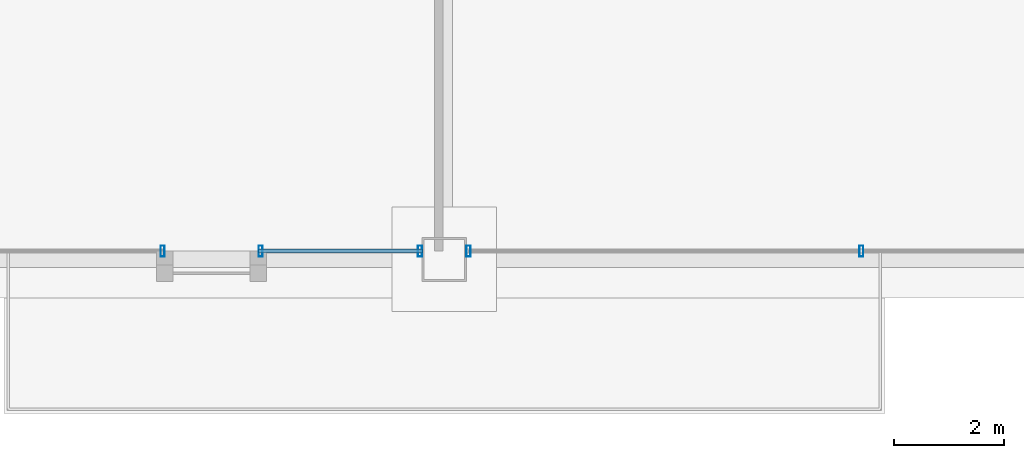
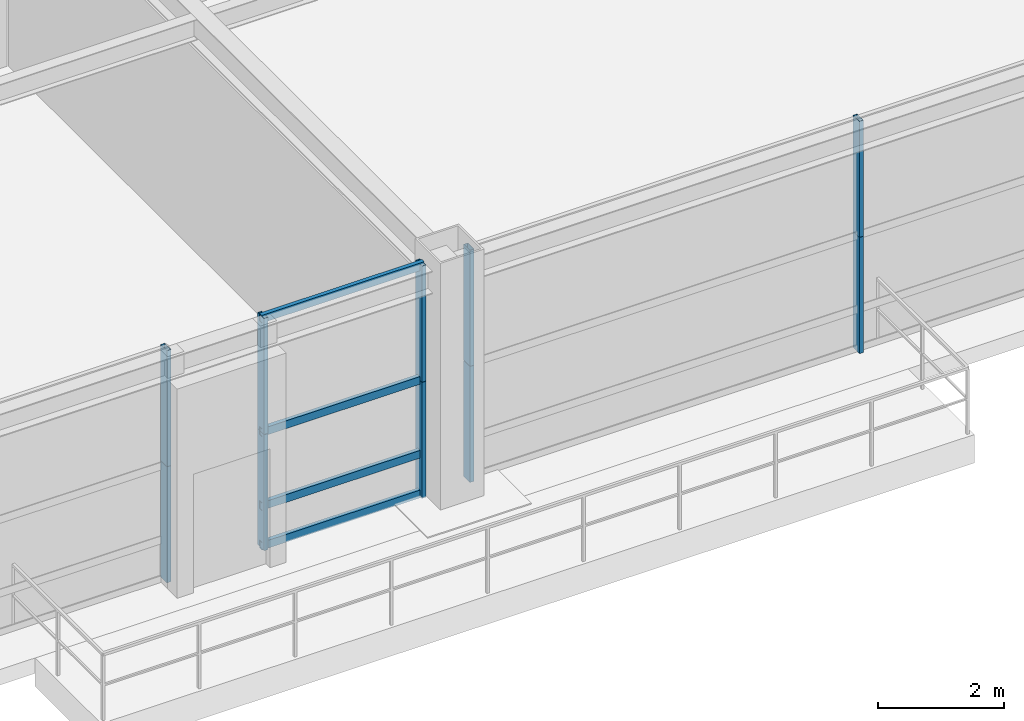
# One storey, part 8 of 34: 14 members, 3 elements without a shape of their own.
"""IFC4 building model written with IfcOpenShell, lengths in metres."""

from ifc_helpers import new_model, si_unit, direction, frame, origin, origin_2d, place, context, subcontext, project, spatial, hollow_rectangle, extrude, source, transform, mapped, material, layer, layer_set, material_profile, profile_set, type_object, element, aggregate, save


model = new_model("IFC4")

# Units and contexts
model_context = context("Model", 3, precision=1e-05, world=origin(), true_north=direction((0.0, 1.0)))
body_context = subcontext(model_context, "Body", "Model", "MODEL_VIEW")
ifc_project = project(units=[si_unit("LENGTHUNIT", "METRE"), si_unit("AREAUNIT", "SQUARE_METRE"), si_unit("VOLUMEUNIT", "CUBIC_METRE"), si_unit("PLANEANGLEUNIT", "RADIAN"), si_unit("MASSUNIT", "GRAM", prefix="KILO"), si_unit("THERMODYNAMICTEMPERATUREUNIT", "KELVIN"), si_unit("POWERUNIT", "WATT")], contexts=[model_context])

# Site, building, storey
site_placement = place(None, origin())
site = spatial("IfcSite", under=ifc_project, at=site_placement, CompositionType="ELEMENT")
building_placement = place(site_placement, origin())
building = spatial("IfcBuilding", under=site, at=building_placement, Name="Yuzanri Waterfront Tower", CompositionType="ELEMENT")
storey_placement = place(building_placement, frame((0.0, 0.0, 166.800048828125)))
storey = spatial("IfcBuildingStorey", under=building, at=storey_placement, Name="L44", CompositionType="ELEMENT", Elevation=166.800048828125)

# Curtain wall, members
ifc_material_1 = material(Name="Anodized Architectural Bronze", Category="metal")
ifc_layer = layer(ifc_material_1, 0.159912109375)
ifc_layer_set = layer_set([ifc_layer], Name="Anodized Architectural Bronze")
curtain_wall_type = type_object("IfcCurtainWallType", Name="Anodized Bronze Sky-Lobby Triple-Glazed Feature Curtain Wall 7500", PredefinedType="NOTDEFINED", material=ifc_layer_set)
curtain_wall_1_placement = place(storey_placement, origin())
curtain_wall_1 = element("IfcCurtainWall", 1, at=curtain_wall_1_placement, inside=storey, type_object=curtain_wall_type, Name="L44 Curtain Wall CW-L44-SL1", PredefinedType="NOTDEFINED")
ifc_material_2 = material(Name="Anodized Architectural Bronze", Category="metal")
ifc_material_profile_1 = material_profile(ifc_material_2, hollow_rectangle(XDim=0.074951171875, YDim=0.199951171875, WallThickness=0.00390625, at=origin_2d()), Name="CWM 75x200")
ifc_profile_set_1 = profile_set([ifc_material_profile_1], Name="Anodized Architectural Bronze")
member_type_1 = type_object("IfcMemberType", Name="Anodized Bronze Primary Curtain-Wall Mullion 75x200", PredefinedType="MULLION", material=ifc_profile_set_1)
shared_shape_1 = source(origin(), body_context, "Body", "SweptSolid", [
    extrude(hollow_rectangle(XDim=0.074951171875, YDim=0.199951171875, WallThickness=0.00390625, at=origin_2d()), origin(), (0.0, 0.0, 1.0), 2.248046875),
])
member_1_placement = place(storey_placement, frame((31.885009765625, 3.85009765625, 0.0), z_axis=(0.0, 0.0, 1.0), x_axis=(1.0, 0.0, 0.0)))
member_1 = element("IfcMember", 2, at=member_1_placement, type_object=member_type_1, Name="CW-L44-SL1 Lower Mullion 01", PredefinedType="MULLION", context=body_context, shape_type="MappedRepresentation", body=[
    mapped(shared_shape_1, transform((0.0, 0.0, 0.0), scale=1.0)),
])
member_2_placement = place(storey_placement, frame((31.885009765625, 3.85009765625, 2.251953125), z_axis=(0.0, 0.0, 1.0), x_axis=(1.0, 0.0, 0.0)))
member_2 = element("IfcMember", 3, at=member_2_placement, type_object=member_type_1, Name="CW-L44-SL1 Upper Mullion 01", PredefinedType="MULLION", context=body_context, shape_type="MappedRepresentation", body=[
    mapped(shared_shape_1, transform((0.0, 0.0, 0.0), scale=1.0)),
])
aggregate(curtain_wall_1, [member_1, member_2])

curtain_wall_2_placement = place(storey_placement, origin())
curtain_wall_2 = element("IfcCurtainWall", 4, at=curtain_wall_2_placement, inside=storey, type_object=curtain_wall_type, Name="L44 Curtain Wall CW-L44-SL2", PredefinedType="NOTDEFINED")
member_3_placement = place(storey_placement, frame((33.6650390625, 3.85009765625, 0.0), z_axis=(0.0, 0.0, 1.0), x_axis=(1.0, 0.0, 0.0)))
member_3 = element("IfcMember", 5, at=member_3_placement, type_object=member_type_1, Name="CW-L44-SL2 Lower Mullion 00", PredefinedType="MULLION", context=body_context, shape_type="MappedRepresentation", body=[
    mapped(shared_shape_1, transform((0.0, 0.0, 0.0), scale=1.0)),
])
member_4_placement = place(storey_placement, frame((33.6650390625, 3.85009765625, 2.251953125), z_axis=(0.0, 0.0, 1.0), x_axis=(1.0, 0.0, 0.0)))
member_4 = element("IfcMember", 6, at=member_4_placement, type_object=member_type_1, Name="CW-L44-SL2 Upper Mullion 00", PredefinedType="MULLION", context=body_context, shape_type="MappedRepresentation", body=[
    mapped(shared_shape_1, transform((0.0, 0.0, 0.0), scale=1.0)),
])
member_5_placement = place(storey_placement, frame((36.56005859375, 3.85009765625, 0.0), z_axis=(0.0, 0.0, 1.0), x_axis=(1.0, 0.0, 0.0)))
member_5 = element("IfcMember", 7, at=member_5_placement, type_object=member_type_1, Name="CW-L44-SL2 Lower Mullion 01", PredefinedType="MULLION", context=body_context, shape_type="MappedRepresentation", body=[
    mapped(shared_shape_1, transform((0.0, 0.0, 0.0), scale=1.0)),
])
member_6_placement = place(storey_placement, frame((36.56005859375, 3.85009765625, 2.251953125), z_axis=(0.0, 0.0, 1.0), x_axis=(1.0, 0.0, 0.0)))
member_6 = element("IfcMember", 8, at=member_6_placement, type_object=member_type_1, Name="CW-L44-SL2 Upper Mullion 01", PredefinedType="MULLION", context=body_context, shape_type="MappedRepresentation", body=[
    mapped(shared_shape_1, transform((0.0, 0.0, 0.0), scale=1.0)),
])

curtain_wall_3_placement = place(storey_placement, origin())
curtain_wall_3 = element("IfcCurtainWall", 9, at=curtain_wall_3_placement, inside=storey, type_object=curtain_wall_type, Name="L44 Curtain Wall CW-L44-SR", PredefinedType="NOTDEFINED")
member_7_placement = place(storey_placement, frame((37.43994140625, 3.85009765625, 0.0), z_axis=(0.0, 0.0, 1.0), x_axis=(1.0, 0.0, 0.0)))
member_7 = element("IfcMember", 10, at=member_7_placement, type_object=member_type_1, Name="CW-L44-SR Lower Mullion 00", PredefinedType="MULLION", context=body_context, shape_type="MappedRepresentation", body=[
    mapped(shared_shape_1, transform((0.0, 0.0, 0.0), scale=1.0)),
])
member_8_placement = place(storey_placement, frame((37.43994140625, 3.85009765625, 2.251953125), z_axis=(0.0, 0.0, 1.0), x_axis=(1.0, 0.0, 0.0)))
member_8 = element("IfcMember", 11, at=member_8_placement, type_object=member_type_1, Name="CW-L44-SR Upper Mullion 00", PredefinedType="MULLION", context=body_context, shape_type="MappedRepresentation", body=[
    mapped(shared_shape_1, transform((0.0, 0.0, 0.0), scale=1.0)),
])
member_9_placement = place(storey_placement, frame((44.574951171875, 3.85009765625, 0.0), z_axis=(0.0, 0.0, 1.0), x_axis=(1.0, 0.0, 0.0)))
member_9 = element("IfcMember", 12, at=member_9_placement, type_object=member_type_1, Name="CW-L44-SR Lower Mullion 01", PredefinedType="MULLION", context=body_context, shape_type="MappedRepresentation", body=[
    mapped(shared_shape_1, transform((0.0, 0.0, 0.0), scale=1.0)),
])
member_10_placement = place(storey_placement, frame((44.574951171875, 3.85009765625, 2.251953125), z_axis=(0.0, 0.0, 1.0), x_axis=(1.0, 0.0, 0.0)))
member_10 = element("IfcMember", 13, at=member_10_placement, type_object=member_type_1, Name="CW-L44-SR Upper Mullion 01", PredefinedType="MULLION", context=body_context, shape_type="MappedRepresentation", body=[
    mapped(shared_shape_1, transform((0.0, 0.0, 0.0), scale=1.0)),
])
aggregate(curtain_wall_3, [member_7, member_8, member_9, member_10])

# Member
ifc_material_3 = material(Name="Anodized Architectural Bronze", Category="metal")
ifc_material_profile_2 = material_profile(ifc_material_3, hollow_rectangle(XDim=0.074951171875, YDim=0.14990234375, WallThickness=0.00390625, at=origin_2d()), Name="CWT 75x150")
ifc_profile_set_2 = profile_set([ifc_material_profile_2], Name="Anodized Architectural Bronze")
member_type_2 = type_object("IfcMemberType", Name="Anodized Bronze Primary Curtain-Wall Transom 75x150", PredefinedType="USERDEFINED", material=ifc_profile_set_2)
shared_shape_2 = source(origin(), body_context, "Body", "SweptSolid", [
    extrude(hollow_rectangle(XDim=0.074951171875, YDim=0.14990234375, WallThickness=0.00390625, at=origin_2d()), origin(), (0.0, 0.0, 1.0), 2.97509765625),
])
member_11_placement = place(storey_placement, frame((33.625, 3.85009765625, 0.050048828125), z_axis=(1.0, 0.0, 0.0), x_axis=(0.0, 1.0, 0.0)))
member_11 = element("IfcMember", 14, at=member_11_placement, type_object=member_type_2, Name="CW-L44-SL2 Transom 1", ObjectType="TRANSOM", PredefinedType="USERDEFINED", context=body_context, shape_type="MappedRepresentation", body=[
    mapped(shared_shape_2, transform((0.0, 0.0, 0.0), scale=1.0)),
])

member_12_placement = place(storey_placement, frame((33.625, 3.85009765625, 0.820068359375), z_axis=(1.0, 0.0, 0.0), x_axis=(0.0, 1.0, 0.0)))
member_12 = element("IfcMember", 15, at=member_12_placement, type_object=member_type_2, Name="CW-L44-SL2 Transom 2", ObjectType="TRANSOM", PredefinedType="USERDEFINED", context=body_context, shape_type="MappedRepresentation", body=[
    mapped(shared_shape_2, transform((0.0, 0.0, 0.0), scale=1.0)),
])

member_13_placement = place(storey_placement, frame((33.625, 3.85009765625, 2.25), z_axis=(1.0, 0.0, 0.0), x_axis=(0.0, 1.0, 0.0)))
member_13 = element("IfcMember", 16, at=member_13_placement, type_object=member_type_2, Name="CW-L44-SL2 Transom 3", ObjectType="TRANSOM", PredefinedType="USERDEFINED", context=body_context, shape_type="MappedRepresentation", body=[
    mapped(shared_shape_2, transform((0.0, 0.0, 0.0), scale=1.0)),
])

member_14_placement = place(storey_placement, frame((33.625, 3.85009765625, 4.449951171875), z_axis=(1.0, 0.0, 0.0), x_axis=(0.0, 1.0, 0.0)))
member_14 = element("IfcMember", 17, at=member_14_placement, type_object=member_type_2, Name="CW-L44-SL2 Transom 4", ObjectType="TRANSOM", PredefinedType="USERDEFINED", context=body_context, shape_type="MappedRepresentation", body=[
    mapped(shared_shape_2, transform((0.0, 0.0, 0.0), scale=1.0)),
])

aggregate(curtain_wall_2, [member_3, member_4, member_5, member_6, member_11, member_12, member_13, member_14])

save(model, "model.ifc")
